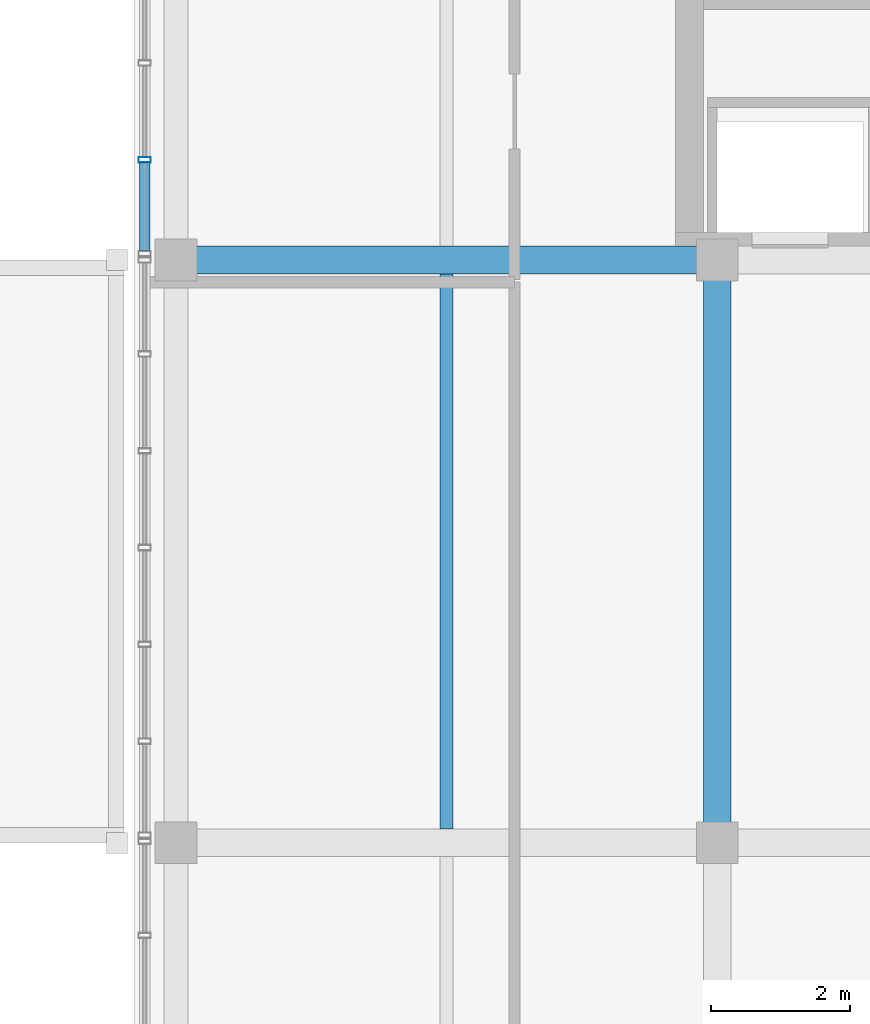
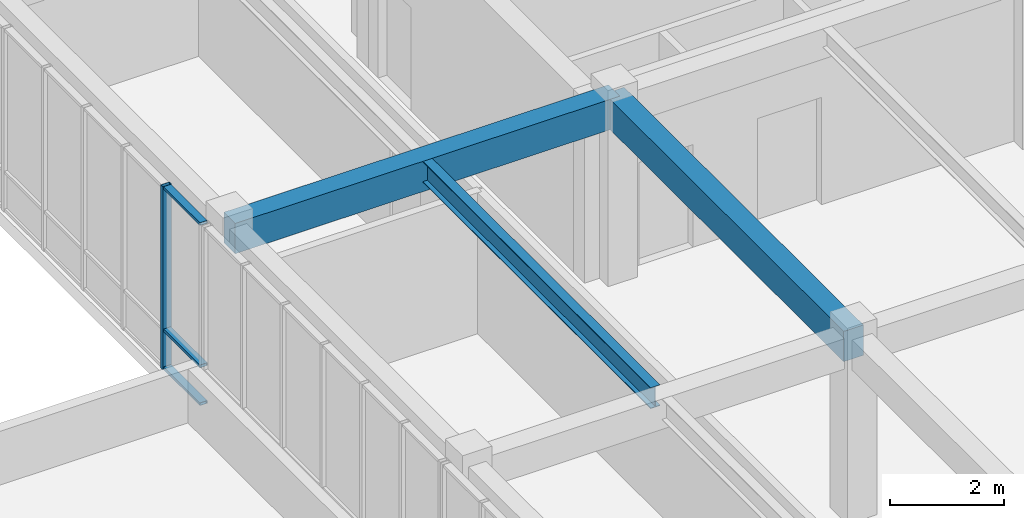
# One storey, part 58 of 123: 4 members, 3 beams, 1 element without a shape of its own.
"""IFC4 building model written with IfcOpenShell, lengths in metres."""

from ifc_helpers import new_model, si_unit, direction, frame, origin, origin_2d, place, context, subcontext, project, spatial, rectangle, hollow_rectangle, i_section, extrude, material, layer, layer_set, material_profile, profile_set, type_object, element, aggregate, save


model = new_model("IFC4")

# Units and contexts
model_context = context("Model", 3, precision=1e-05, world=origin(), true_north=direction((0.0, 1.0)))
body_context = subcontext(model_context, "Body", "Model", "MODEL_VIEW")
ifc_project = project(units=[si_unit("LENGTHUNIT", "METRE"), si_unit("AREAUNIT", "SQUARE_METRE"), si_unit("VOLUMEUNIT", "CUBIC_METRE"), si_unit("PLANEANGLEUNIT", "RADIAN"), si_unit("MASSUNIT", "GRAM", prefix="KILO")], contexts=[model_context])

# Site, building, storey
site_placement = place(None, origin())
site = spatial("IfcSite", under=ifc_project, at=site_placement, CompositionType="ELEMENT")
building_placement = place(site_placement, origin())
building = spatial("IfcBuilding", under=site, at=building_placement, Name="Zayran Congress Hotel", CompositionType="ELEMENT")
storey_placement = place(building_placement, frame((0.0, 0.0, 15.0)))
storey = spatial("IfcBuildingStorey", under=building, at=storey_placement, Name="L03", CompositionType="ELEMENT", Elevation=15.0)

# Beams
ifc_material_1 = material(Name="Concrete C40/50", Category="concrete")
ifc_material_profile_1 = material_profile(ifc_material_1, rectangle(XDim=0.39990234375, YDim=0.64990234375, at=origin_2d()), Name="RC 400x650")
ifc_profile_set_1 = profile_set([ifc_material_profile_1], Name="Concrete C40/50")
beam_type_1 = type_object("IfcBeamType", Name="TP-BM-03", PredefinedType="BEAM", material=ifc_profile_set_1)
beam_1_placement = place(storey_placement, frame((109.800048828125, 84.39990234375, 3.594970703125), z_axis=(1.0, 0.0, 0.0), x_axis=(0.0, 1.0, 0.0)))
element("IfcBeam", 1, at=beam_1_placement, inside=storey, type_object=beam_type_1, Name="BM-V4-L03-1506", PredefinedType="BEAM", context=body_context, shape_type="SweptSolid", body=[
    extrude(rectangle(XDim=0.39990234375, YDim=0.64990234375, at=origin_2d()), origin(), (0.0, 0.0, 1.0), 7.800048828125),
])
beam_2_placement = place(storey_placement, frame((117.60009765625, 76.0, 3.594970703125), z_axis=(0.0, 1.0, 0.0), x_axis=(-1.0, 0.0, 0.0)))
element("IfcBeam", 2, at=beam_2_placement, inside=storey, type_object=beam_type_1, Name="BM-V4-L03-1525", PredefinedType="BEAM", context=body_context, shape_type="SweptSolid", body=[
    extrude(rectangle(XDim=0.39990234375, YDim=0.64990234375, at=origin_2d()), origin(), (0.0, 0.0, 1.0), 8.39990234375),
])
ifc_material_2 = material(Name="Steel S355", Category="steel")
ifc_material_profile_2 = material_profile(ifc_material_2, i_section(OverallWidth=0.18994140625, OverallDepth=0.449951171875, WebThickness=0.009521484375, FlangeThickness=0.0146484375, at=origin_2d()), Name="IPE 450")
ifc_profile_set_2 = profile_set([ifc_material_profile_2], Name="Steel S355")
beam_type_2 = type_object("IfcBeamType", Name="TP-JS-02", PredefinedType="JOIST", material=ifc_profile_set_2)
beam_3_placement = place(storey_placement, frame((113.699951171875, 76.199951171875, 3.695068359375), z_axis=(0.0, 1.0, 0.0), x_axis=(-1.0, 0.0, 0.0)))
element("IfcBeam", 3, at=beam_3_placement, inside=storey, type_object=beam_type_2, Name="JST-V4-L03-1545", PredefinedType="JOIST", context=body_context, shape_type="SweptSolid", body=[
    extrude(i_section(OverallWidth=0.18994140625, OverallDepth=0.449951171875, WebThickness=0.009521484375, FlangeThickness=0.0146484375, at=origin_2d()), origin(), (0.0, 0.0, 1.0), 8.0),
])

# Curtain wall, members
ifc_material_3 = material(Name="Anodised aluminium and low-E insulated glass", Category="aluminium")
ifc_layer = layer(ifc_material_3, 0.179931640625)
ifc_layer_set = layer_set([ifc_layer], Name="Anodised aluminium and low-E insulated glass")
curtain_wall_type = type_object("IfcCurtainWallType", Name="CW-V4W-L03-CW-53-8368-3920", PredefinedType="USERDEFINED", material=ifc_layer_set)
curtain_wall_placement = place(storey_placement, origin())
curtain_wall = element("IfcCurtainWall", 4, at=curtain_wall_placement, inside=storey, type_object=curtain_wall_type, Name="CW-V4W-L03-5", ObjectType="CURTAIN WALL", PredefinedType="USERDEFINED")
ifc_material_4 = material(Name="Anodised aluminium framing", Category="aluminium")
ifc_material_profile_3 = material_profile(ifc_material_4, hollow_rectangle(XDim=0.080078125, YDim=0.179931640625, WallThickness=0.0048828125, at=origin_2d()), Name="RHS 180x80x5")
ifc_profile_set_3 = profile_set([ifc_material_profile_3], Name="Anodised aluminium framing")
member_type_1 = type_object("IfcMemberType", Name="TP-CWM-01", PredefinedType="MULLION", material=ifc_profile_set_3)
member_1_placement = place(storey_placement, frame((109.35009765625, 85.8427734375, 0.0), z_axis=(0.0, 0.0, 1.0), x_axis=(0.0, 1.0, 0.0)))
member_1 = element("IfcMember", 5, at=member_1_placement, type_object=member_type_1, Name="CW-V4W-L03-5-M05", PredefinedType="MULLION", context=body_context, shape_type="SweptSolid", body=[
    extrude(hollow_rectangle(XDim=0.080078125, YDim=0.179931640625, WallThickness=0.0048828125, at=origin_2d()), origin(), (0.0, 0.0, 1.0), 3.919921875),
])
ifc_material_profile_4 = material_profile(ifc_material_4, hollow_rectangle(XDim=0.06005859375, YDim=0.14990234375, WallThickness=0.00390625, at=origin_2d()), Name="RHS 150x60x4")
ifc_profile_set_4 = profile_set([ifc_material_profile_4], Name="Anodised aluminium framing")
member_type_2 = type_object("IfcMemberType", Name="TP-CWT-01", PredefinedType="USERDEFINED", material=ifc_profile_set_4)
member_2_placement = place(storey_placement, frame((109.35009765625, 85.802734375, 0.030029296875), z_axis=(0.0, -1.0, 0.0), x_axis=(0.0, 0.0, 1.0)))
member_2 = element("IfcMember", 6, at=member_2_placement, type_object=member_type_2, Name="CW-V4W-L03-5-T05-0", ObjectType="TRANSOM", PredefinedType="USERDEFINED", context=body_context, shape_type="SweptSolid", body=[
    extrude(hollow_rectangle(XDim=0.06005859375, YDim=0.14990234375, WallThickness=0.00390625, at=origin_2d()), origin(), (0.0, 0.0, 1.0), 1.274658203125),
])
member_3_placement = place(storey_placement, frame((109.35009765625, 85.802734375, 0.840087890625), z_axis=(0.0, -1.0, 0.0), x_axis=(0.0, 0.0, 1.0)))
member_3 = element("IfcMember", 7, at=member_3_placement, type_object=member_type_2, Name="CW-V4W-L03-5-T05-1", ObjectType="TRANSOM", PredefinedType="USERDEFINED", context=body_context, shape_type="SweptSolid", body=[
    extrude(hollow_rectangle(XDim=0.06005859375, YDim=0.14990234375, WallThickness=0.00390625, at=origin_2d()), origin(), (0.0, 0.0, 1.0), 1.274658203125),
])
member_4_placement = place(storey_placement, frame((109.35009765625, 85.802734375, 3.889892578125), z_axis=(0.0, -1.0, 0.0), x_axis=(0.0, 0.0, 1.0)))
member_4 = element("IfcMember", 8, at=member_4_placement, type_object=member_type_2, Name="CW-V4W-L03-5-T05-2", ObjectType="TRANSOM", PredefinedType="USERDEFINED", context=body_context, shape_type="SweptSolid", body=[
    extrude(hollow_rectangle(XDim=0.06005859375, YDim=0.14990234375, WallThickness=0.00390625, at=origin_2d()), origin(), (0.0, 0.0, 1.0), 1.274658203125),
])
aggregate(curtain_wall, [member_1, member_2, member_3, member_4])

save(model, "model.ifc")
